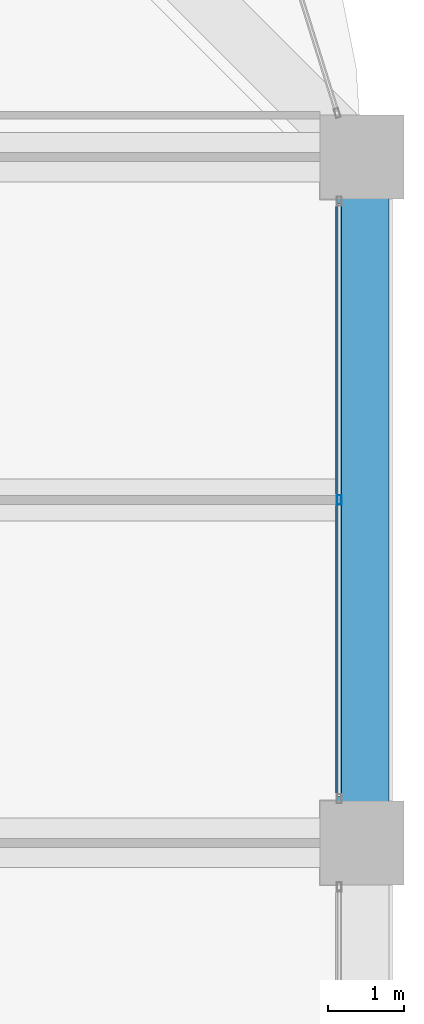
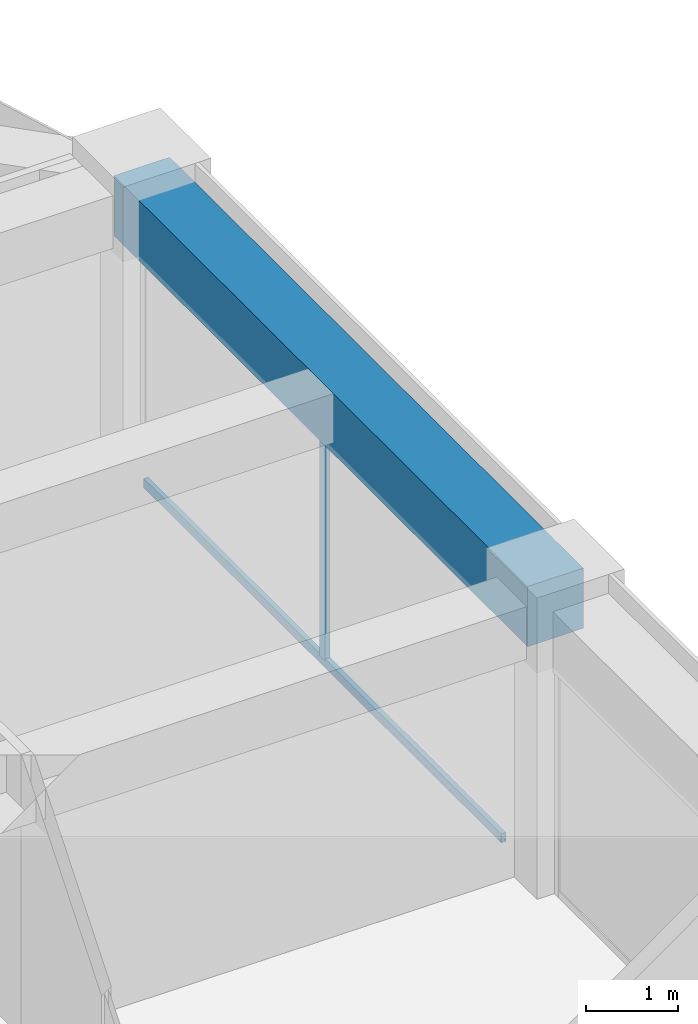
# One storey, part 27 of 45: 2 members, 1 beam, 1 element without a shape of its own.
"""IFC4 building model written with IfcOpenShell, lengths in metres."""

from ifc_helpers import new_model, si_unit, direction, frame, origin, origin_2d, place, context, subcontext, project, spatial, rectangle, hollow_rectangle, extrude, material, material_profile, profile_set, type_object, element, aggregate, save


model = new_model("IFC4")

# Units and contexts
model_context = context("Model", 3, precision=1e-05, world=origin(), true_north=direction((0.0, 1.0)))
body_context = subcontext(model_context, "Body", "Model", "MODEL_VIEW")
ifc_project = project(units=[si_unit("LENGTHUNIT", "METRE"), si_unit("AREAUNIT", "SQUARE_METRE"), si_unit("VOLUMEUNIT", "CUBIC_METRE"), si_unit("PLANEANGLEUNIT", "RADIAN"), si_unit("MASSUNIT", "GRAM", prefix="KILO")], contexts=[model_context])

# Site, building, storey
site_placement = place(None, origin())
site = spatial("IfcSite", under=ifc_project, at=site_placement, CompositionType="ELEMENT")
building_placement = place(site_placement, origin())
building = spatial("IfcBuilding", under=site, at=building_placement, Name="Zorevar Civic Tower", CompositionType="ELEMENT")
storey_placement = place(building_placement, frame((0.0, 0.0, 279.39990234375)))
storey = spatial("IfcBuildingStorey", under=building, at=storey_placement, Name="L68", CompositionType="ELEMENT", Elevation=279.39990234375)

# Curtain wall, members
ifc_material_1 = material(Name="Dark grey solar-control glass in black aluminium frame", Category="aluminium")
curtain_wall_type = type_object("IfcCurtainWallType", Name="Curtain wall CW5 top zone", PredefinedType="NOTDEFINED", material=ifc_material_1)
curtain_wall_placement = place(storey_placement, origin())
curtain_wall = element("IfcCurtainWall", 1, at=curtain_wall_placement, inside=storey, type_object=curtain_wall_type, Name="CW5 L68", PredefinedType="NOTDEFINED")
ifc_material_2 = material(Name="Aluminium, black anodised", Category="aluminium")
ifc_material_profile_1 = material_profile(ifc_material_2, hollow_rectangle(XDim=0.06005859375, YDim=0.1201171875, WallThickness=0.0029296875, at=origin_2d()), Name="AL 120x60x3")
ifc_profile_set_1 = profile_set([ifc_material_profile_1], Name="Aluminium, black anodised")
member_type_1 = type_object("IfcMemberType", Name="CW5 mullion AL 120x60x3", PredefinedType="MULLION", material=ifc_profile_set_1)
member_1_placement = place(storey_placement, frame((53.699951171875, 31.5, 0.06005859375), z_axis=(0.0, 0.0, 1.0), x_axis=(-1.0, 0.0, 0.0)))
member_1 = element("IfcMember", 2, at=member_1_placement, type_object=member_type_1, Name="CW5 mullion 2", PredefinedType="MULLION", context=body_context, shape_type="SweptSolid", body=[
    extrude(hollow_rectangle(XDim=0.06005859375, YDim=0.1201171875, WallThickness=0.0029296875, at=origin_2d()), origin(), (0.0, 0.0, 1.0), 2.89013671875),
])
ifc_material_3 = material(Name="Aluminium, black anodised", Category="aluminium")
ifc_material_profile_2 = material_profile(ifc_material_3, hollow_rectangle(XDim=0.06005859375, YDim=0.1201171875, WallThickness=0.0029296875, at=origin_2d()), Name="AL 120x60x3")
ifc_profile_set_2 = profile_set([ifc_material_profile_2], Name="Aluminium, black anodised")
member_type_2 = type_object("IfcMemberType", Name="CW5 transom AL 120x60x3", PredefinedType="USERDEFINED", material=ifc_profile_set_2)
member_2_placement = place(storey_placement, frame((53.699951171875, 27.610107421875, 0.030029296875), z_axis=(0.0, 1.0, 0.0), x_axis=(-1.0, 0.0, 0.0)))
member_2 = element("IfcMember", 3, at=member_2_placement, type_object=member_type_2, Name="CW5 sill transom", ObjectType="TRANSOM", PredefinedType="USERDEFINED", context=body_context, shape_type="SweptSolid", body=[
    extrude(hollow_rectangle(XDim=0.06005859375, YDim=0.1201171875, WallThickness=0.0029296875, at=origin_2d()), origin(), (0.0, 0.0, 1.0), 7.77978515625),
])
aggregate(curtain_wall, [member_1, member_2])

# Beam
ifc_material_4 = material(Name="Concrete C50/60", Category="concrete")
ifc_material_profile_3 = material_profile(ifc_material_4, rectangle(XDim=0.699951171875, YDim=0.800048828125, at=origin_2d()), Name="RC 700x800")
ifc_profile_set_3 = profile_set([ifc_material_profile_3], Name="Concrete C50/60")
beam_type = type_object("IfcBeamType", Name="Edge beam RC 700x800", PredefinedType="SPANDREL", material=ifc_profile_set_3)
beam_placement = place(storey_placement, frame((54.0, 27.0, 3.35009765625), z_axis=(0.0, 1.0, 0.0), x_axis=(-1.0, 0.0, 0.0)))
element("IfcBeam", 4, at=beam_placement, inside=storey, type_object=beam_type, Name="Edge beam L69", PredefinedType="SPANDREL", context=body_context, shape_type="SweptSolid", body=[
    extrude(rectangle(XDim=0.699951171875, YDim=0.800048828125, at=origin_2d()), origin(), (0.0, 0.0, 1.0), 9.0),
])

save(model, "model.ifc")
